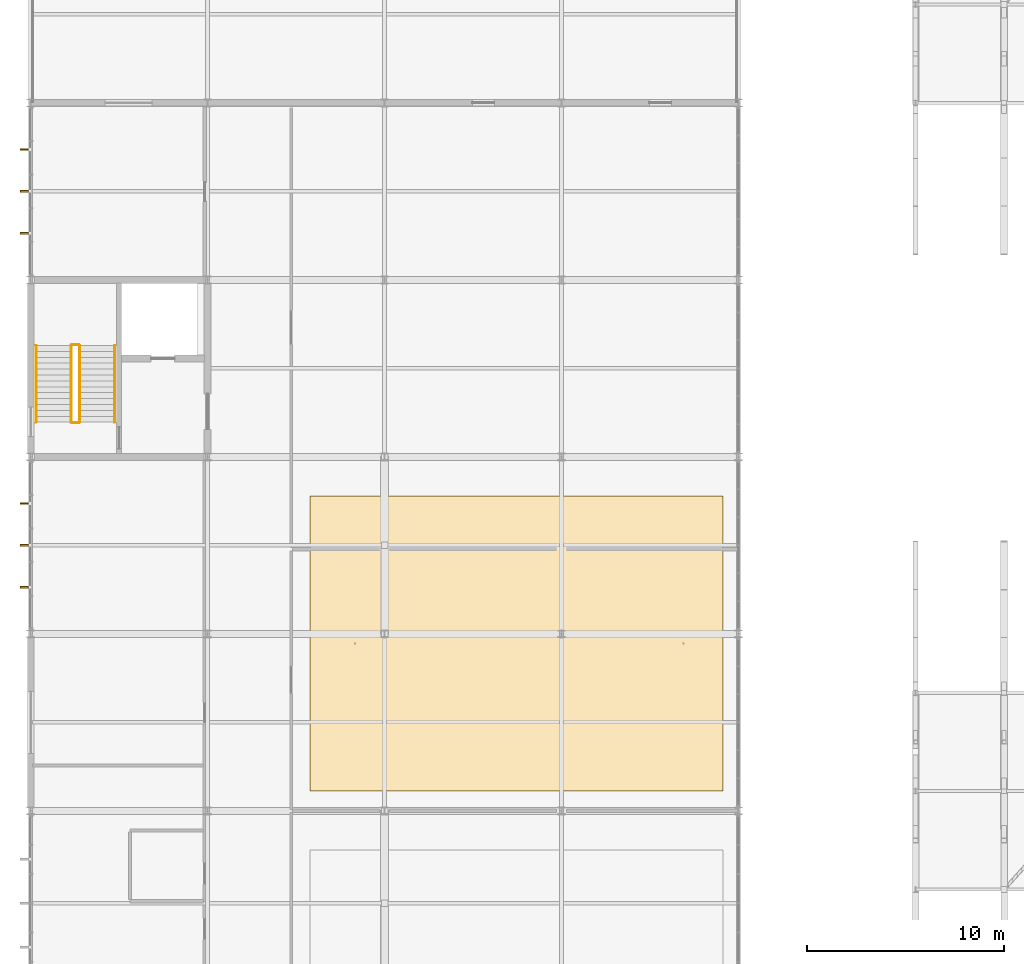
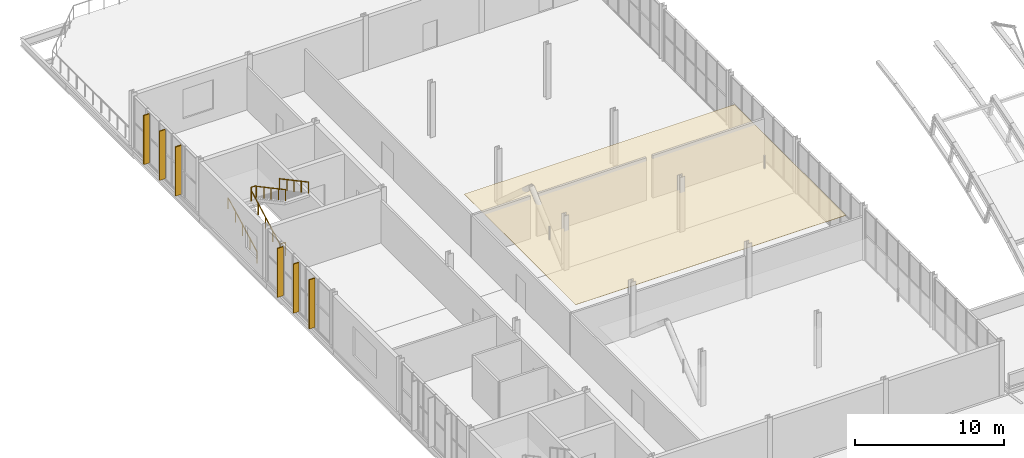
# One storey, part 102 of 103: 6 railings, 6 shading devices, 1 covering.
"""IFC4 building model written with IfcOpenShell, lengths in metres."""

from ifc_helpers import new_model, si_unit, direction, frame, origin, origin_2d, place, context, subcontext, project, spatial, polyline, rectangle, circle, outline, extrude, material, layer, layer_set, type_object, element, save


model = new_model("IFC4")

# Units and contexts
model_context = context("Model", 3, precision=1e-05, world=origin(), true_north=direction((0.0, 1.0)))
body_context = subcontext(model_context, "Body", "Model", "MODEL_VIEW")
ifc_project = project(units=[si_unit("LENGTHUNIT", "METRE"), si_unit("AREAUNIT", "SQUARE_METRE"), si_unit("VOLUMEUNIT", "CUBIC_METRE"), si_unit("PLANEANGLEUNIT", "RADIAN"), si_unit("MASSUNIT", "GRAM", prefix="KILO")], contexts=[model_context])

# Site, building, storey
site_placement = place(None, origin())
site = spatial("IfcSite", under=ifc_project, at=site_placement, CompositionType="ELEMENT")
building_placement = place(site_placement, origin())
building = spatial("IfcBuilding", under=site, at=building_placement, Name="Cazmaro Siding Exhibition Halls", CompositionType="ELEMENT")
storey_placement = place(building_placement, frame((0.0, 0.0, 16.5)))
storey = spatial("IfcBuildingStorey", under=building, at=storey_placement, Name="L03", CompositionType="ELEMENT", Elevation=16.5)

# Covering
ifc_material_1 = material(Name="Perforated Micro-Slotted Acoustic Timber Ceiling Cloud", Category="wood")
ifc_layer = layer(ifc_material_1, 0.02490234375)
ifc_layer_set = layer_set([ifc_layer], Name="Perforated Micro-Slotted Acoustic Timber Ceiling Cloud")
covering_type = type_object("IfcCoveringType", Name="COV-CEIL-01", PredefinedType="CEILING", material=ifc_layer_set)
covering_placement = place(storey_placement, frame((0.0, 0.0, 3.199951171875)))
element("IfcCovering", 1, at=covering_placement, inside=storey, type_object=covering_type, Name="Acoustic Timber Ceiling Cloud 008", PredefinedType="CEILING", context=body_context, shape_type="SweptSolid", body=[
    extrude(outline(polyline([(14.199951171875, 74.0), (35.199951171875, 74.0), (35.199951171875, 89.0), (14.199951171875, 89.0), (14.199951171875, 74.0)])), origin(), (0.0, 0.0, 1.0), 0.025146484375),
])

# Railings
ifc_material_2 = material(Name="Painted Steel Stairwell Guardrail", Category="steel")
railing_type_1 = type_object("IfcRailingType", Name="RL-GRD-01", PredefinedType="GUARDRAIL", material=ifc_material_2)
for number, where, name in (
    (2, (2.094970703125, 92.739990234375, 0.0), "Core C8 L03 Landing Slot Guard RL-GRD-01 RL-SG040"),
    (3, (2.094970703125, 96.699951171875, 2.25), "ST-21 Mid-Landing Slot Guard RL-GRD-01 RL-SG041"),
):
    element("IfcRailing", number, at=place(storey_placement, frame(where)), inside=storey, type_object=railing_type_1, Name=name, PredefinedType="GUARDRAIL", context=body_context, shape_type="SweptSolid", body=[
        extrude(circle(Radius=0.02392578125, at=origin_2d()), frame((0.0, 0.0, 1.09619140625), z_axis=(1.0, 0.0, 0.0), x_axis=(0.0, 1.0, 0.0)), (0.0, 0.0, 1.0), 0.364990234375),
        extrude(circle(Radius=0.02099609375, at=origin_2d()), origin(), (0.0, 0.0, 1.0), 1.072021484375),
        extrude(circle(Radius=0.02099609375, at=origin_2d()), frame((0.364990234375, 0.0, 0.0)), (0.0, 0.0, 1.0), 1.072021484375),
    ])
ifc_material_3 = material(Name="Brushed Stainless Steel Tubular Handrail", Category="steel")
railing_type_2 = type_object("IfcRailingType", Name="RL-HR-01", PredefinedType="HANDRAIL", material=ifc_material_3)
railing_1_placement = place(storey_placement, frame((0.280029296875, 92.760009765625, 0.160888671875)))
element("IfcRailing", 4, at=railing_1_placement, inside=storey, type_object=railing_type_2, Name="ST-21 Flight 1 Handrail 1", PredefinedType="HANDRAIL", context=body_context, shape_type="SweptSolid", body=[
    extrude(circle(Radius=0.02392578125, at=origin_2d()), frame((0.0, 0.0, 0.89599609375), z_axis=(0.0, 0.881491454809, 0.472199973632), x_axis=(-1.0, 0.0, 0.0)), (0.0, 0.0, 1.0), 4.42431640625),
    extrude(circle(Radius=0.02099609375, at=origin_2d()), origin(), (0.0, 0.0, 1.0), 0.871826171875),
    extrude(circle(Radius=0.02099609375, at=origin_2d()), frame((0.0, 0.97509765625, 0.522216796875)), (0.0, 0.0, 1.0), 0.871826171875),
    extrude(circle(Radius=0.02099609375, at=origin_2d()), frame((0.0, 1.949951171875, 1.04443359375)), (0.0, 0.0, 1.0), 0.871826171875),
    extrude(circle(Radius=0.02099609375, at=origin_2d()), frame((0.0, 2.9248046875, 1.56689453125)), (0.0, 0.0, 1.0), 0.871826171875),
    extrude(circle(Radius=0.02099609375, at=origin_2d()), frame((0.0, 3.89990234375, 2.089111328125)), (0.0, 0.0, 1.0), 0.871826171875),
])
railing_2_placement = place(storey_placement, frame((2.4951171875, 96.659912109375, 2.410888671875)))
element("IfcRailing", 5, at=railing_2_placement, inside=storey, type_object=railing_type_2, Name="ST-21 Flight 2 Handrail 1", PredefinedType="HANDRAIL", context=body_context, shape_type="SweptSolid", body=[
    extrude(circle(Radius=0.02392578125, at=origin_2d()), frame((0.0, 0.0, 0.89599609375), z_axis=(0.0, -0.881491454809, 0.472199973632), x_axis=(1.0, 0.0, 0.0)), (0.0, 0.0, 1.0), 4.42431640625),
    extrude(circle(Radius=0.02099609375, at=origin_2d()), origin(), (0.0, 0.0, 1.0), 0.871826171875),
    extrude(circle(Radius=0.02099609375, at=origin_2d()), frame((0.0, -0.97509765625, 0.522216796875)), (0.0, 0.0, 1.0), 0.871826171875),
    extrude(circle(Radius=0.02099609375, at=origin_2d()), frame((0.0, -1.949951171875, 1.04443359375)), (0.0, 0.0, 1.0), 0.871826171875),
    extrude(circle(Radius=0.02099609375, at=origin_2d()), frame((0.0, -2.9248046875, 1.56689453125)), (0.0, 0.0, 1.0), 0.871826171875),
    extrude(circle(Radius=0.02099609375, at=origin_2d()), frame((0.0, -3.89990234375, 2.089111328125)), (0.0, 0.0, 1.0), 0.871826171875),
])
railing_3_placement = place(storey_placement, frame((2.06005859375, 92.760009765625, 0.160888671875)))
element("IfcRailing", 6, at=railing_3_placement, inside=storey, type_object=railing_type_2, Name="ST-21 Flight 1 Handrail 2", PredefinedType="HANDRAIL", context=body_context, shape_type="SweptSolid", body=[
    extrude(circle(Radius=0.02392578125, at=origin_2d()), frame((0.0, 0.0, 0.89599609375), z_axis=(0.0, 0.881491454809, 0.472199973632), x_axis=(-1.0, 0.0, 0.0)), (0.0, 0.0, 1.0), 4.42431640625),
    extrude(circle(Radius=0.02099609375, at=origin_2d()), origin(), (0.0, 0.0, 1.0), 0.871826171875),
    extrude(circle(Radius=0.02099609375, at=origin_2d()), frame((0.0, 0.97509765625, 0.522216796875)), (0.0, 0.0, 1.0), 0.871826171875),
    extrude(circle(Radius=0.02099609375, at=origin_2d()), frame((0.0, 1.949951171875, 1.04443359375)), (0.0, 0.0, 1.0), 0.871826171875),
    extrude(circle(Radius=0.02099609375, at=origin_2d()), frame((0.0, 2.9248046875, 1.56689453125)), (0.0, 0.0, 1.0), 0.871826171875),
    extrude(circle(Radius=0.02099609375, at=origin_2d()), frame((0.0, 3.89990234375, 2.089111328125)), (0.0, 0.0, 1.0), 0.871826171875),
])
railing_4_placement = place(storey_placement, frame((4.27490234375, 96.659912109375, 2.410888671875)))
element("IfcRailing", 7, at=railing_4_placement, inside=storey, type_object=railing_type_2, Name="ST-21 Flight 2 Handrail 2", PredefinedType="HANDRAIL", context=body_context, shape_type="SweptSolid", body=[
    extrude(circle(Radius=0.02392578125, at=origin_2d()), frame((0.0, 0.0, 0.89599609375), z_axis=(0.0, -0.881491454809, 0.472199973632), x_axis=(1.0, 0.0, 0.0)), (0.0, 0.0, 1.0), 4.42431640625),
    extrude(circle(Radius=0.02099609375, at=origin_2d()), origin(), (0.0, 0.0, 1.0), 0.871826171875),
    extrude(circle(Radius=0.02099609375, at=origin_2d()), frame((0.0, -0.97509765625, 0.522216796875)), (0.0, 0.0, 1.0), 0.871826171875),
    extrude(circle(Radius=0.02099609375, at=origin_2d()), frame((0.0, -1.949951171875, 1.04443359375)), (0.0, 0.0, 1.0), 0.871826171875),
    extrude(circle(Radius=0.02099609375, at=origin_2d()), frame((0.0, -2.9248046875, 1.56689453125)), (0.0, 0.0, 1.0), 0.871826171875),
    extrude(circle(Radius=0.02099609375, at=origin_2d()), frame((0.0, -3.89990234375, 2.089111328125)), (0.0, 0.0, 1.0), 0.871826171875),
])

# Shading devices
ifc_material_4 = material(Name="Extruded Kiln-Fired Terracotta Sunshade Louver", Category="concrete")
shading_device_type = type_object("IfcShadingDeviceType", Name="SHD-TC-01", PredefinedType="USERDEFINED", material=ifc_material_4)
for number, where, z_axis, x_axis, name in (
    (8, (-0.31494140625, 84.366943359375, 0.125), (0.0, 0.0, 1.0), (1.0, 0.0, 0.0), "Extruded Terracotta Vertical Sunshade Fin SHD-01 040"),
    (9, (-0.31494140625, 86.5, 0.125), (0.0, 0.0, 1.0), (1.0, 0.0, 0.0), "Extruded Terracotta Vertical Sunshade Fin SHD-01 041"),
    (10, (-0.31494140625, 88.633056640625, 0.125), (0.0, 0.0, 1.0), (1.0, 0.0, 0.0), "Extruded Terracotta Vertical Sunshade Fin SHD-01 042"),
    (11, (-0.31494140625, 102.366943359375, 0.125), (0.0, 0.0, 1.0), (1.0, 0.0, 0.0), "Extruded Terracotta Vertical Sunshade Fin SHD-01 043"),
    (12, (-0.31494140625, 104.5, 0.125), (0.0, 0.0, 1.0), (1.0, 0.0, 0.0), "Extruded Terracotta Vertical Sunshade Fin SHD-01 044"),
    (13, (-0.31494140625, 106.633056640625, 0.125), (0.0, 0.0, 1.0), (1.0, 0.0, 0.0), "Extruded Terracotta Vertical Sunshade Fin SHD-01 045"),
):
    element("IfcShadingDevice", number, at=place(storey_placement, frame(where, z_axis=z_axis, x_axis=x_axis)), inside=storey, type_object=shading_device_type, Name=name, ObjectType="SUNSHADE", PredefinedType="USERDEFINED", context=body_context, shape_type="SweptSolid", body=[
        extrude(rectangle(XDim=0.449951171875, YDim=0.090087890625, at=origin_2d()), origin(), (0.0, 0.0, 1.0), 4.030029296875),
    ])

save(model, "model.ifc")
